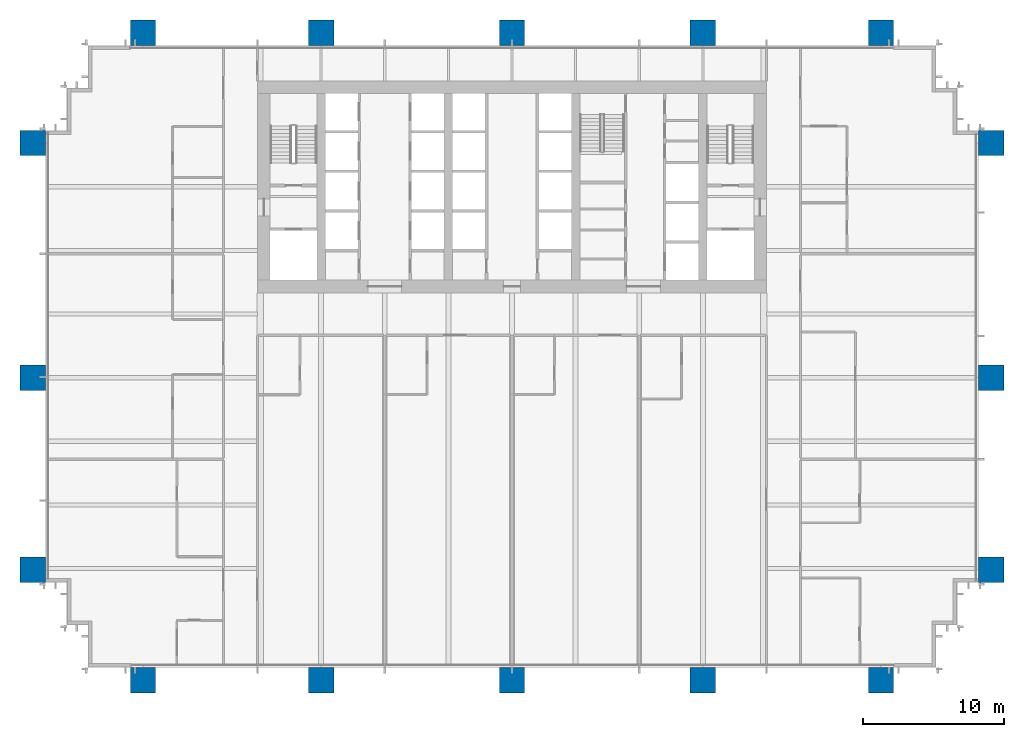
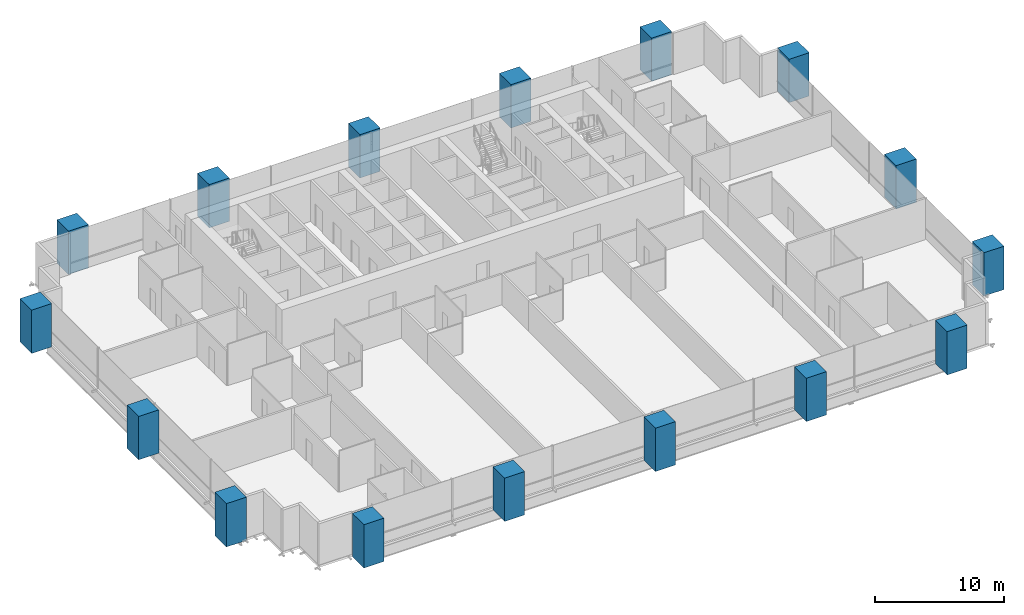
# One storey, part 1 of 17: 16 columns.
"""IFC4 building model written with IfcOpenShell, lengths in metres."""

from ifc_helpers import new_model, si_unit, direction, frame, origin, origin_2d, place, context, subcontext, project, spatial, rectangle, extrude, material, material_profile, profile_set, type_object, element, save


model = new_model("IFC4")

# Units and contexts
model_context = context("Model", 3, precision=1e-05, world=origin(), true_north=direction((0.0, 1.0)))
body_context = subcontext(model_context, "Body", "Model", "MODEL_VIEW")
ifc_project = project(units=[si_unit("LENGTHUNIT", "METRE"), si_unit("AREAUNIT", "SQUARE_METRE"), si_unit("VOLUMEUNIT", "CUBIC_METRE"), si_unit("PLANEANGLEUNIT", "RADIAN"), si_unit("MASSUNIT", "GRAM", prefix="KILO")], contexts=[model_context])

# Site, building, storey
site_placement = place(None, origin())
site = spatial("IfcSite", under=ifc_project, at=site_placement, CompositionType="ELEMENT")
building_placement = place(site_placement, origin())
building = spatial("IfcBuilding", under=site, at=building_placement, Name="Rattan Terrace Tower", CompositionType="ELEMENT")
storey_placement = place(building_placement, frame((0.0, 0.0, 61.10009765625)))
storey = spatial("IfcBuildingStorey", under=building, at=storey_placement, Name="L13", CompositionType="ELEMENT", Elevation=61.10009765625)

# Columns
ifc_material = material(Name="Concrete C60/75", Category="concrete")
ifc_material_profile = material_profile(ifc_material, rectangle(XDim=1.800048828125, YDim=1.800048828125, at=origin_2d()), Name="CFT 1800x1800")
ifc_profile_set = profile_set([ifc_material_profile], Name="Concrete C60/75")
column_type = type_object("IfcColumnType", Name="Frame exoskeleton column CFT 1800x1800", PredefinedType="COLUMN", material=ifc_profile_set)
for number, where, z_axis, x_axis, name in (
    (1, (-26.10009765625, -34.89990234375, -0.2001953125), (0.0, 0.0, 1.0), (1.0, 0.0, 0.0), "exo-L13-001"),
    (2, (-13.5, -34.89990234375, -0.2001953125), (0.0, 0.0, 1.0), (1.0, 0.0, 0.0), "exo-L13-002"),
    (3, (0.0, -34.89990234375, -0.2001953125), (0.0, 0.0, 1.0), (1.0, 0.0, 0.0), "exo-L13-003"),
    (4, (13.5, -34.89990234375, -0.2001953125), (0.0, 0.0, 1.0), (1.0, 0.0, 0.0), "exo-L13-004"),
    (5, (26.10009765625, -34.89990234375, -0.2001953125), (0.0, 0.0, 1.0), (1.0, 0.0, 0.0), "exo-L13-005"),
    (6, (-33.89990234375, -27.10009765625, -0.2001953125), (0.0, 0.0, 1.0), (0.0, 1.0, 0.0), "exo-L13-006"),
    (7, (33.89990234375, -27.10009765625, -0.2001953125), (0.0, 0.0, 1.0), (0.0, 1.0, 0.0), "exo-L13-007"),
    (8, (-33.89990234375, -13.5, -0.2001953125), (0.0, 0.0, 1.0), (0.0, 1.0, 0.0), "exo-L13-008"),
    (9, (33.89990234375, -13.5, -0.2001953125), (0.0, 0.0, 1.0), (0.0, 1.0, 0.0), "exo-L13-009"),
    (10, (-33.89990234375, 3.10009765625, -0.2001953125), (0.0, 0.0, 1.0), (0.0, 1.0, 0.0), "exo-L13-010"),
    (11, (33.89990234375, 3.10009765625, -0.2001953125), (0.0, 0.0, 1.0), (0.0, 1.0, 0.0), "exo-L13-011"),
    (12, (-26.10009765625, 10.89990234375, -0.2001953125), (0.0, 0.0, 1.0), (1.0, 0.0, 0.0), "exo-L13-012"),
    (13, (-13.5, 10.89990234375, -0.2001953125), (0.0, 0.0, 1.0), (1.0, 0.0, 0.0), "exo-L13-013"),
    (14, (0.0, 10.89990234375, -0.2001953125), (0.0, 0.0, 1.0), (1.0, 0.0, 0.0), "exo-L13-014"),
    (15, (13.5, 10.89990234375, -0.2001953125), (0.0, 0.0, 1.0), (1.0, 0.0, 0.0), "exo-L13-015"),
    (16, (26.10009765625, 10.89990234375, -0.2001953125), (0.0, 0.0, 1.0), (1.0, 0.0, 0.0), "exo-L13-016"),
):
    element("IfcColumn", number, at=place(storey_placement, frame(where, z_axis=z_axis, x_axis=x_axis)), inside=storey, type_object=column_type, Name=name, PredefinedType="COLUMN", context=body_context, shape_type="SweptSolid", body=[
        extrude(rectangle(XDim=1.800048828125, YDim=1.800048828125, at=origin_2d()), origin(), (0.0, 0.0, 1.0), 4.10009765625),
    ])

save(model, "model.ifc")
